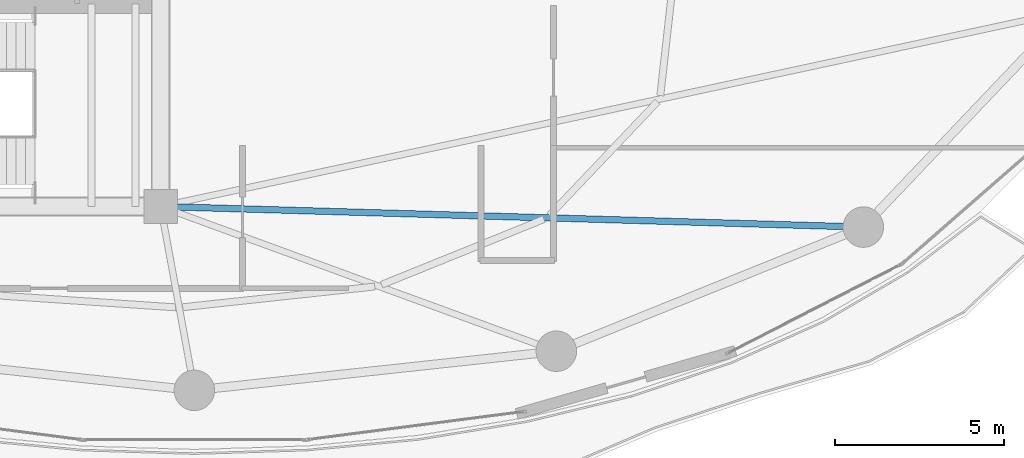
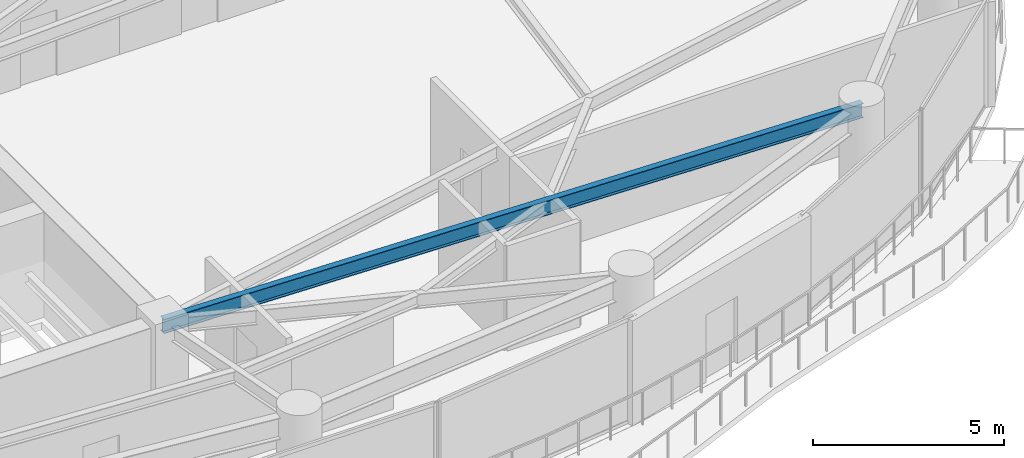
# One storey, part 10 of 30: 1 beam.
"""IFC4 building model written with IfcOpenShell, lengths in metres."""

from ifc_helpers import new_model, si_unit, direction, frame, origin, origin_2d, place, context, subcontext, project, spatial, i_section, extrude, material, material_profile, profile_set, type_object, element, save


model = new_model("IFC4")

# Units and contexts
model_context = context("Model", 3, precision=1e-05, world=origin(), true_north=direction((0.0, 1.0)))
body_context = subcontext(model_context, "Body", "Model", "MODEL_VIEW")
ifc_project = project(units=[si_unit("LENGTHUNIT", "METRE"), si_unit("AREAUNIT", "SQUARE_METRE"), si_unit("VOLUMEUNIT", "CUBIC_METRE"), si_unit("PLANEANGLEUNIT", "RADIAN"), si_unit("MASSUNIT", "GRAM", prefix="KILO")], contexts=[model_context])

# Site, building, storey
site_placement = place(None, origin())
site = spatial("IfcSite", under=ifc_project, at=site_placement, CompositionType="ELEMENT")
building_placement = place(site_placement, origin())
building = spatial("IfcBuilding", under=site, at=building_placement, Name="Kazevale Care Tower and Concert Hall", CompositionType="ELEMENT")
storey_placement = place(building_placement, frame((0.0, 0.0, 127.800048828125)))
storey = spatial("IfcBuildingStorey", under=building, at=storey_placement, Name="L33", CompositionType="ELEMENT", Elevation=127.800048828125)

# Beam
ifc_material = material(Name="Steel ASTM A572 Gr 50", Category="steel")
ifc_material_profile = material_profile(ifc_material, i_section(OverallWidth=0.19091796875, OverallDepth=0.4599609375, WebThickness=0.010009765625, FlangeThickness=0.01611328125, at=origin_2d()), Name="W460x82")
ifc_profile_set = profile_set([ifc_material_profile], Name="Steel ASTM A572 Gr 50")
beam_type = type_object("IfcBeamType", Name="Radial Floor Beam W460x82", PredefinedType="BEAM", material=ifc_profile_set)
beam_placement = place(storey_placement, frame((44.0, 23.60009765625, 3.1298828125), z_axis=(0.99957133157, -0.029277177187, 0.0), x_axis=(0.029277177187, 0.99957133157, 0.0)))
element("IfcBeam", 1, at=beam_placement, inside=storey, type_object=beam_type, Name="beam:L33:rad:15", PredefinedType="BEAM", context=body_context, shape_type="SweptSolid", body=[
    extrude(i_section(OverallWidth=0.19091796875, OverallDepth=0.4599609375, WebThickness=0.010009765625, FlangeThickness=0.01611328125, at=origin_2d()), origin(), (0.0, 0.0, 1.0), 20.839111328125),
])

save(model, "model.ifc")
